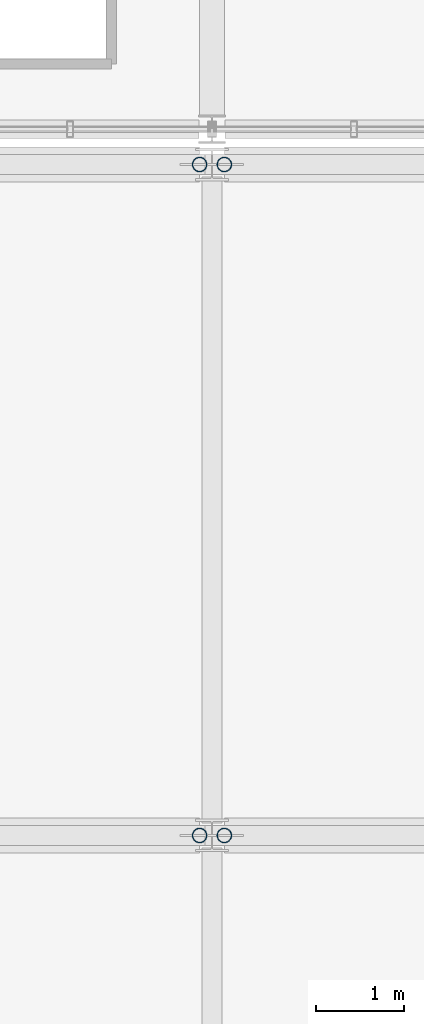
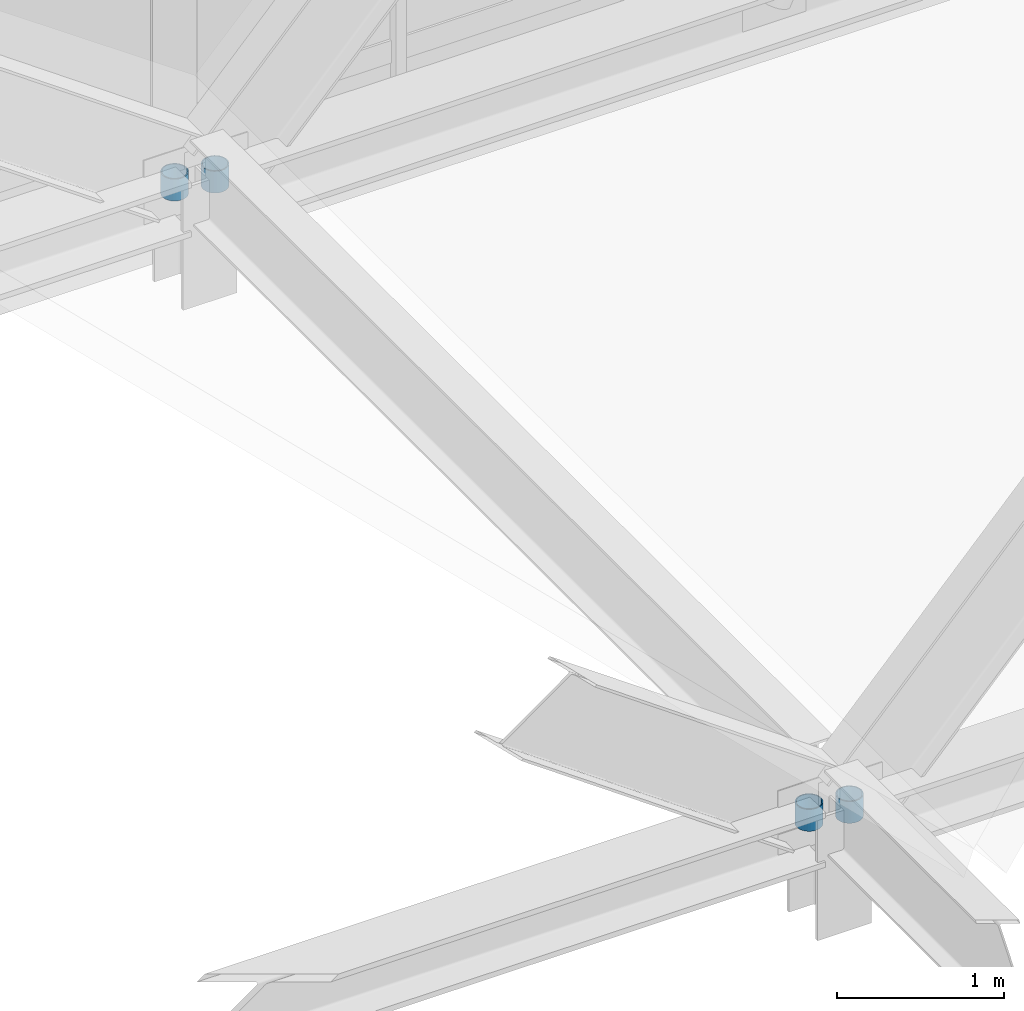
# One storey, part 68 of 100: 4 members.
"""IFC4 building model written with IfcOpenShell, lengths in metres."""

from ifc_helpers import new_model, si_unit, direction, frame, origin, origin_2d, place, context, subcontext, project, spatial, hollow_circle, extrude, material, material_profile, profile_set, type_object, element, save


model = new_model("IFC4")

# Units and contexts
model_context = context("Model", 3, precision=1e-05, world=origin(), true_north=direction((0.0, 1.0)))
body_context = subcontext(model_context, "Body", "Model", "MODEL_VIEW")
ifc_project = project(units=[si_unit("LENGTHUNIT", "METRE"), si_unit("AREAUNIT", "SQUARE_METRE"), si_unit("VOLUMEUNIT", "CUBIC_METRE"), si_unit("PLANEANGLEUNIT", "RADIAN"), si_unit("MASSUNIT", "GRAM", prefix="KILO")], contexts=[model_context])

# Site, building, storey
site_placement = place(None, origin())
site = spatial("IfcSite", under=ifc_project, at=site_placement, CompositionType="ELEMENT")
building_placement = place(site_placement, origin())
building = spatial("IfcBuilding", under=site, at=building_placement, Name="Zulena Civic Courthouse", CompositionType="ELEMENT")
storey_placement = place(building_placement, frame((0.0, 0.0, 20.39990234375)))
storey = spatial("IfcBuildingStorey", under=building, at=storey_placement, Name="L04", CompositionType="ELEMENT", Elevation=20.39990234375)

# Members
ifc_material = material(Name="Steel ASTM A500 Grade C", Category="steel")
ifc_material_profile = material_profile(ifc_material, hollow_circle(Radius=0.083984375, WallThickness=0.00732421875, at=origin_2d()), Name="HSS6.625X0.312")
ifc_profile_set = profile_set([ifc_material_profile], Name="Steel ASTM A500 Grade C")
member_type = type_object("IfcMemberType", Name="RoofWeb_CHS6", PredefinedType="USERDEFINED", material=ifc_profile_set)
for number, where, z_axis, x_axis, name in (
    (1, (155.860107421875, 22.800048828125, 0.536376953125), (0.0, 0.0, 1.0), (1.0, 0.0, 0.0), "mem:fold:postE:06:22.8"),
    (2, (155.860107421875, 30.39990234375, 0.536376953125), (0.0, 0.0, 1.0), (1.0, 0.0, 0.0), "mem:fold:postE:06:30.4"),
):
    element("IfcMember", number, at=place(storey_placement, frame(where, z_axis=z_axis, x_axis=x_axis)), inside=storey, type_object=member_type, Name=name, ObjectType="ROOF TRUSS", PredefinedType="USERDEFINED", context=body_context, shape_type="SweptSolid", body=[
        extrude(hollow_circle(Radius=0.083984375, WallThickness=0.00732421875, at=origin_2d()), origin(), (0.0, 0.0, 1.0), 0.16015625),
    ])
for number, where, z_axis, x_axis, name in (
    (3, (156.139892578125, 22.800048828125, 0.496337890625), (0.0, 0.0, 1.0), (1.0, 0.0, 0.0), "mem:fold:postW:07:22.8"),
    (4, (156.139892578125, 30.39990234375, 0.496337890625), (0.0, 0.0, 1.0), (1.0, 0.0, 0.0), "mem:fold:postW:07:30.4"),
):
    element("IfcMember", number, at=place(storey_placement, frame(where, z_axis=z_axis, x_axis=x_axis)), inside=storey, type_object=member_type, Name=name, ObjectType="ROOF TRUSS", PredefinedType="USERDEFINED", context=body_context, shape_type="SweptSolid", body=[
        extrude(hollow_circle(Radius=0.083984375, WallThickness=0.00732421875, at=origin_2d()), origin(), (0.0, 0.0, 1.0), 0.159912109375),
    ])

save(model, "model.ifc")
